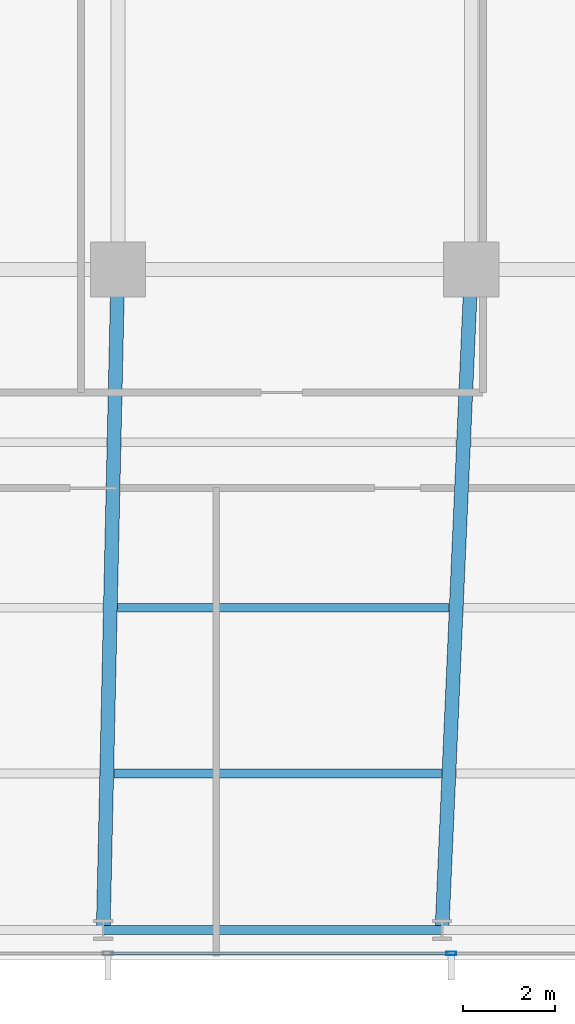
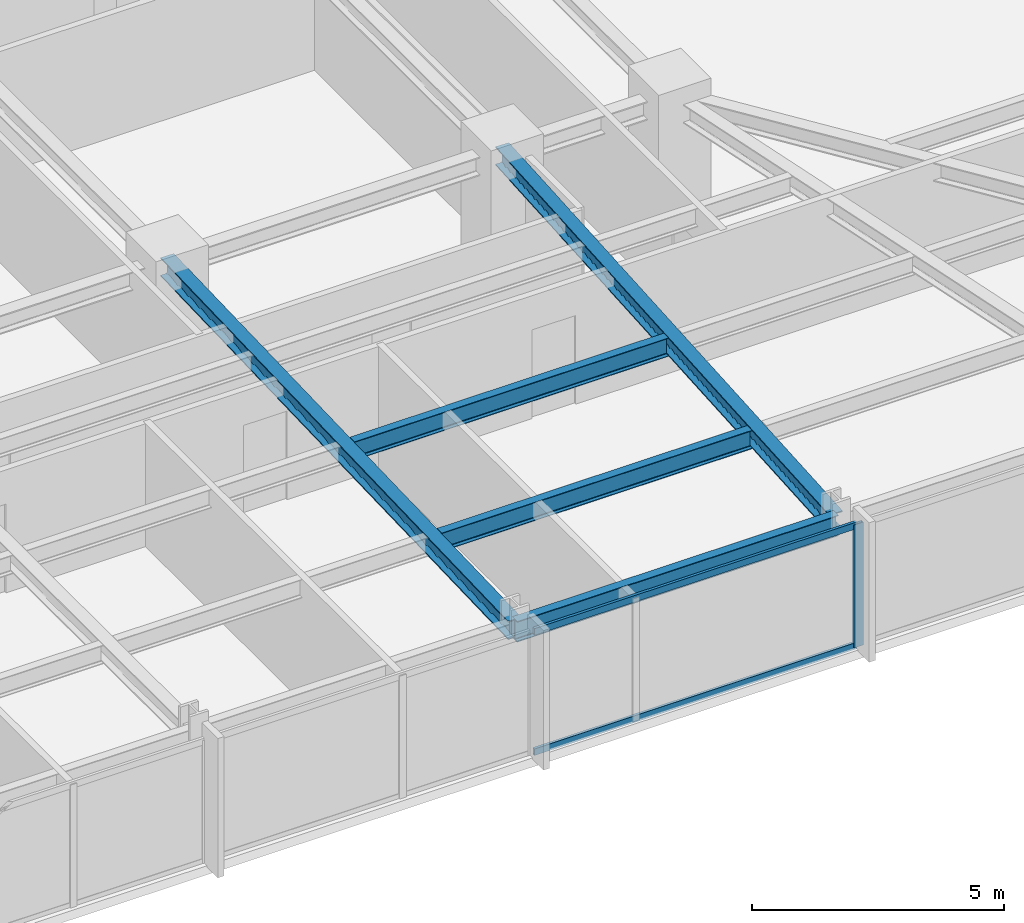
# One storey, part 12 of 32: 5 beams, 3 members, 1 element without a shape of its own.
"""IFC4 building model written with IfcOpenShell, lengths in metres."""

from ifc_helpers import new_model, si_unit, direction, frame, origin, origin_2d, place, context, subcontext, project, spatial, hollow_rectangle, i_section, extrude, material, material_profile, profile_set, type_object, element, aggregate, save


model = new_model("IFC4")

# Units and contexts
model_context = context("Model", 3, precision=1e-05, world=origin(), true_north=direction((0.0, 1.0)))
body_context = subcontext(model_context, "Body", "Model", "MODEL_VIEW")
ifc_project = project(units=[si_unit("LENGTHUNIT", "METRE"), si_unit("AREAUNIT", "SQUARE_METRE"), si_unit("VOLUMEUNIT", "CUBIC_METRE"), si_unit("PLANEANGLEUNIT", "RADIAN"), si_unit("MASSUNIT", "GRAM", prefix="KILO")], contexts=[model_context])

# Site, building, storey
site_placement = place(None, origin())
site = spatial("IfcSite", under=ifc_project, at=site_placement, CompositionType="ELEMENT")
building_placement = place(site_placement, origin())
building = spatial("IfcBuilding", under=site, at=building_placement, Name="Yelkora Congress Tower", CompositionType="ELEMENT")
storey_placement = place(building_placement, frame((0.0, 0.0, 74.60009765625)))
storey = spatial("IfcBuildingStorey", under=building, at=storey_placement, Name="L19", CompositionType="ELEMENT", Elevation=74.60009765625)

# Beams
ifc_material_1 = material(Name="Steel S355J2", Category="steel")
ifc_material_profile_1 = material_profile(ifc_material_1, i_section(OverallWidth=0.300048828125, OverallDepth=0.449951171875, WebThickness=0.013916015625, FlangeThickness=0.02587890625, FilletRadius=0.027099609375, at=origin_2d()), Name="HEB 450")
ifc_profile_set_1 = profile_set([ifc_material_profile_1], Name="Steel S355J2")
beam_type_1 = type_object("IfcBeamType", Name="BM-GIRD-HEB450", PredefinedType="BEAM", material=ifc_profile_set_1)
beam_1_placement = place(storey_placement, frame((45.762451171875, 10.85009765625, 2.7548828125), z_axis=(0.022129088136, 0.999755121746, 0.0), x_axis=(-0.999755121746, 0.022129088136, 0.0)))
element("IfcBeam", 1, at=beam_1_placement, inside=storey, type_object=beam_type_1, Name="L19 Primary Frame Girder S06", PredefinedType="BEAM", context=body_context, shape_type="SweptSolid", body=[
    extrude(i_section(OverallWidth=0.300048828125, OverallDepth=0.449951171875, WebThickness=0.013916015625, FlangeThickness=0.02587890625, FilletRadius=0.027099609375, at=origin_2d()), origin(), (0.0, 0.0, 1.0), 14.353271484375),
])
beam_2_placement = place(storey_placement, frame((53.125, 10.85009765625, 2.7548828125), z_axis=(0.044208738849, 0.999022315771, 0.0), x_axis=(-0.999022315771, 0.044208738849, 0.0)))
element("IfcBeam", 2, at=beam_2_placement, inside=storey, type_object=beam_type_1, Name="L19 Primary Frame Girder S07", PredefinedType="BEAM", context=body_context, shape_type="SweptSolid", body=[
    extrude(i_section(OverallWidth=0.300048828125, OverallDepth=0.449951171875, WebThickness=0.013916015625, FlangeThickness=0.02587890625, FilletRadius=0.027099609375, at=origin_2d()), origin(), (0.0, 0.0, 1.0), 14.364013671875),
])
ifc_material_profile_2 = material_profile(ifc_material_1, i_section(OverallWidth=0.18994140625, OverallDepth=0.449951171875, WebThickness=0.009521484375, FlangeThickness=0.0146484375, FilletRadius=0.02099609375, at=origin_2d()), Name="IPE 450")
ifc_profile_set_2 = profile_set([ifc_material_profile_2], Name="Steel S355J2")
beam_type_2 = type_object("IfcBeamType", Name="BM-JOIST-IPE450", PredefinedType="JOIST", material=ifc_profile_set_2)
beam_3_placement = place(storey_placement, frame((45.997802734375, 14.25, 2.7548828125), z_axis=(1.0, 0.0, 0.0), x_axis=(0.0, 1.0, 0.0)))
element("IfcBeam", 3, at=beam_3_placement, inside=storey, type_object=beam_type_2, Name="L19 Composite Floor Joist 6", PredefinedType="JOIST", context=body_context, shape_type="SweptSolid", body=[
    extrude(i_section(OverallWidth=0.18994140625, OverallDepth=0.449951171875, WebThickness=0.009521484375, FlangeThickness=0.0146484375, FilletRadius=0.02099609375, at=origin_2d()), origin(), (0.0, 0.0, 1.0), 7.11767578125),
])
beam_4_placement = place(storey_placement, frame((46.077392578125, 17.85009765625, 2.7548828125), z_axis=(1.0, 0.0, 0.0), x_axis=(0.0, 1.0, 0.0)))
element("IfcBeam", 4, at=beam_4_placement, inside=storey, type_object=beam_type_2, Name="L19 Composite Floor Joist 14", PredefinedType="JOIST", context=body_context, shape_type="SweptSolid", body=[
    extrude(i_section(OverallWidth=0.18994140625, OverallDepth=0.449951171875, WebThickness=0.009521484375, FlangeThickness=0.0146484375, FilletRadius=0.02099609375, at=origin_2d()), origin(), (0.0, 0.0, 1.0), 7.197509765625),
])
ifc_material_profile_3 = material_profile(ifc_material_1, i_section(OverallWidth=0.199951171875, OverallDepth=0.5, WebThickness=0.01025390625, FlangeThickness=0.01611328125, FilletRadius=0.02099609375, at=origin_2d()), Name="IPE 500")
ifc_profile_set_3 = profile_set([ifc_material_profile_3], Name="Steel S355J2")
beam_type_3 = type_object("IfcBeamType", Name="BM-SPAN-IPE500", PredefinedType="SPANDREL", material=ifc_profile_set_3)
beam_5_placement = place(storey_placement, frame((45.762451171875, 10.85009765625, 2.72998046875), z_axis=(1.0, 0.0, 0.0), x_axis=(0.0, 1.0, 0.0)))
element("IfcBeam", 5, at=beam_5_placement, inside=storey, type_object=beam_type_3, Name="L19 Perimeter Beam 7", PredefinedType="SPANDREL", context=body_context, shape_type="SweptSolid", body=[
    extrude(i_section(OverallWidth=0.199951171875, OverallDepth=0.5, WebThickness=0.01025390625, FlangeThickness=0.01611328125, FilletRadius=0.02099609375, at=origin_2d()), origin(), (0.0, 0.0, 1.0), 7.362548828125),
])

# Curtain wall, members
ifc_material_2 = material(Name="Anodised aluminium and insulated glass", Category="aluminium")
curtain_wall_type = type_object("IfcCurtainWallType", Name="CW-SYS-B1", PredefinedType="NOTDEFINED", material=ifc_material_2)
curtain_wall_placement = place(storey_placement, origin())
curtain_wall = element("IfcCurtainWall", 6, at=curtain_wall_placement, inside=storey, type_object=curtain_wall_type, Name="L19 Unitised Curtain Wall 20", PredefinedType="NOTDEFINED")
ifc_material_3 = material(Name="Anodised aluminium 6063-T6", Category="aluminium")
ifc_material_profile_4 = material_profile(ifc_material_3, hollow_rectangle(XDim=0.074951171875, YDim=0.219970703125, WallThickness=0.0048828125, at=origin_2d()), Name="ALU 75x220x5")
ifc_profile_set_4 = profile_set([ifc_material_profile_4], Name="Anodised aluminium 6063-T6")
member_type_1 = type_object("IfcMemberType", Name="MEM-ML-B1", PredefinedType="MULLION", material=ifc_profile_set_4)
member_1_placement = place(storey_placement, frame((53.330078125, 10.340087890625, 0.0), z_axis=(0.0, 0.0, 1.0), x_axis=(0.0, -1.0, 0.0)))
member_1 = element("IfcMember", 7, at=member_1_placement, type_object=member_type_1, Name="CW-B1 mullion 3", PredefinedType="MULLION", context=body_context, shape_type="SweptSolid", body=[
    extrude(hollow_rectangle(XDim=0.074951171875, YDim=0.219970703125, WallThickness=0.0048828125, at=origin_2d()), origin(), (0.0, 0.0, 1.0), 2.97998046875),
])
ifc_material_profile_5 = material_profile(ifc_material_3, hollow_rectangle(XDim=0.06494140625, YDim=0.159912109375, WallThickness=0.00390625, at=origin_2d()), Name="ALU 65x160x4")
ifc_profile_set_5 = profile_set([ifc_material_profile_5], Name="Anodised aluminium 6063-T6")
member_type_2 = type_object("IfcMemberType", Name="MEM-TR-B1", PredefinedType="USERDEFINED", material=ifc_profile_set_5)
member_2_placement = place(storey_placement, frame((53.29248046875, 10.340087890625, 0.032470703125), z_axis=(-1.0, 0.0, 0.0), x_axis=(0.0, -1.0, 0.0)))
member_2 = element("IfcMember", 8, at=member_2_placement, type_object=member_type_2, Name="CW-B1 transom 3.1", ObjectType="TRANSOM", PredefinedType="USERDEFINED", context=body_context, shape_type="SweptSolid", body=[
    extrude(hollow_rectangle(XDim=0.06494140625, YDim=0.159912109375, WallThickness=0.00390625, at=origin_2d()), origin(), (0.0, 0.0, 1.0), 7.389892578125),
])
member_3_placement = place(storey_placement, frame((53.29248046875, 10.340087890625, 2.947509765625), z_axis=(-1.0, 0.0, 0.0), x_axis=(0.0, -1.0, 0.0)))
member_3 = element("IfcMember", 9, at=member_3_placement, type_object=member_type_2, Name="CW-B1 transom 3.2", ObjectType="TRANSOM", PredefinedType="USERDEFINED", context=body_context, shape_type="SweptSolid", body=[
    extrude(hollow_rectangle(XDim=0.06494140625, YDim=0.159912109375, WallThickness=0.00390625, at=origin_2d()), origin(), (0.0, 0.0, 1.0), 7.389892578125),
])
aggregate(curtain_wall, [member_1, member_2, member_3])

save(model, "model.ifc")
